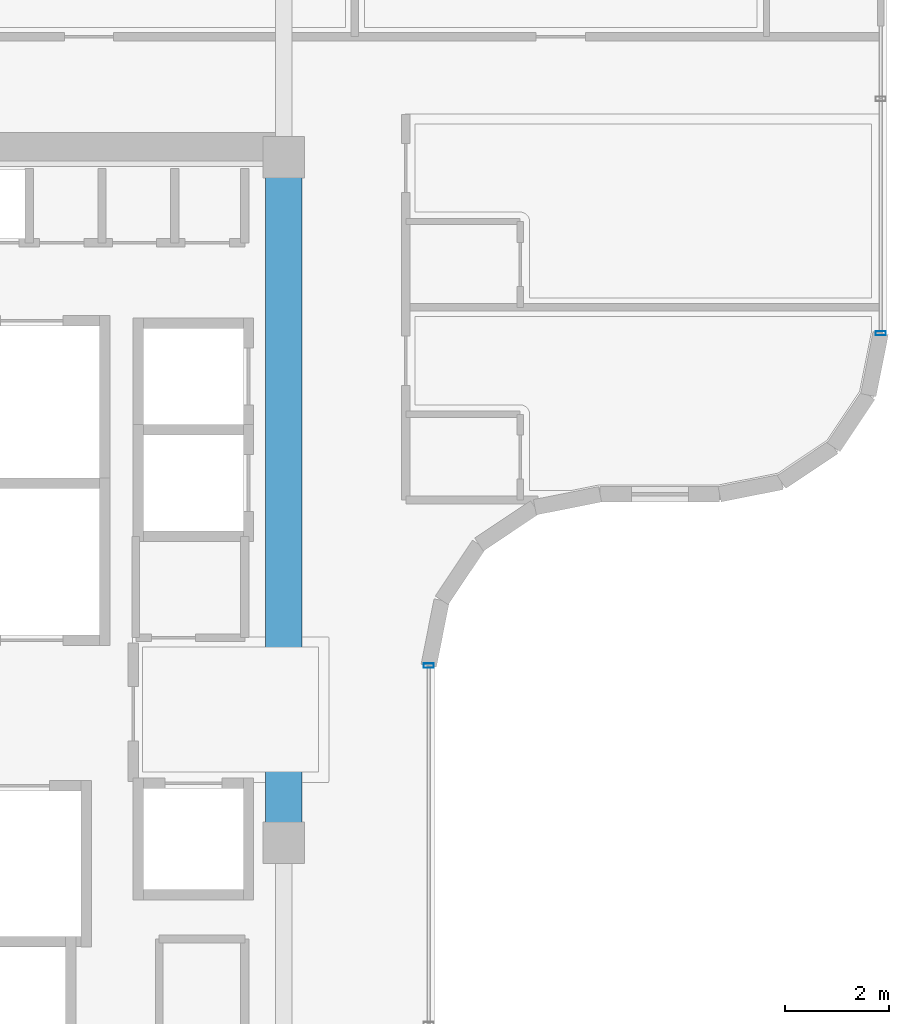
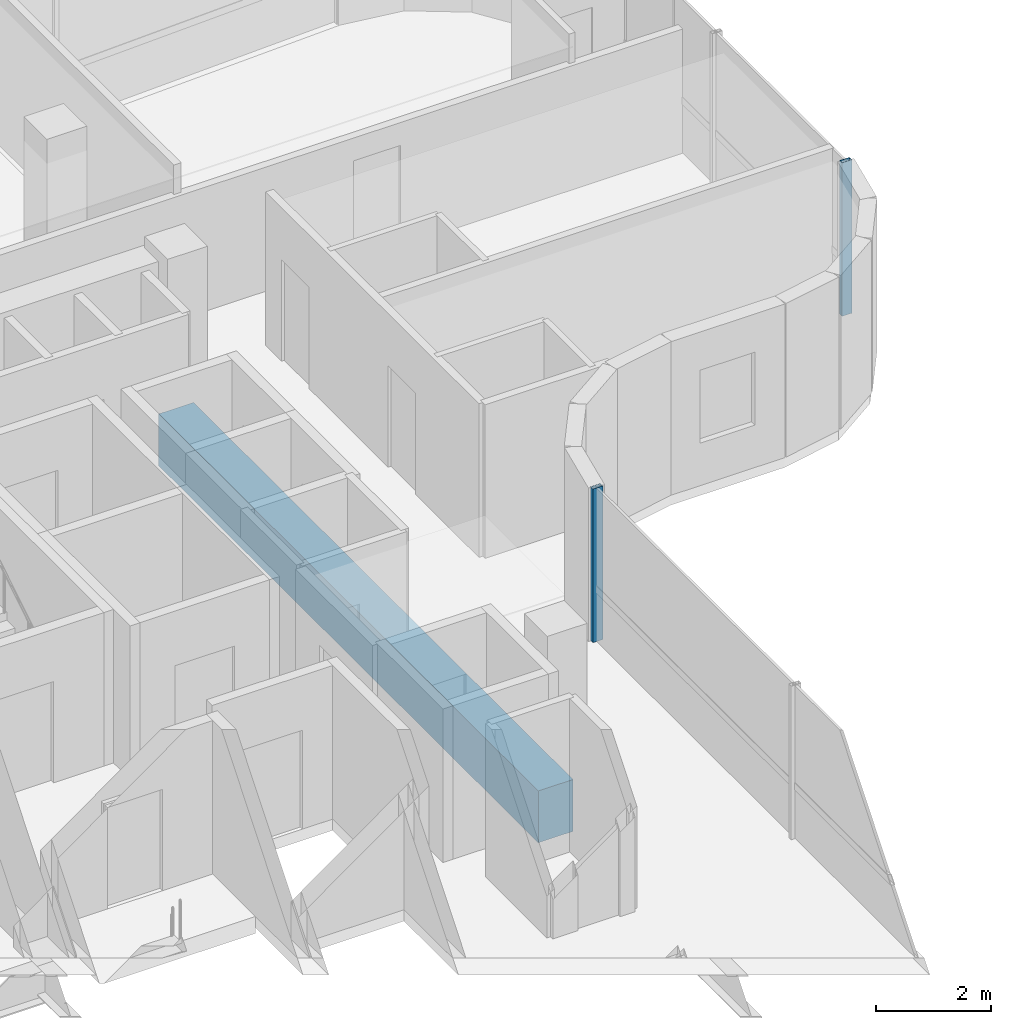
# One storey, part 8 of 20: 2 members, 1 beam, 2 elements without a shape of their own.
"""IFC4 building model written with IfcOpenShell, lengths in metres."""

from ifc_helpers import new_model, si_unit, direction, frame, origin, origin_2d, place, context, subcontext, project, spatial, rectangle, hollow_rectangle, extrude, source, transform, mapped, material, material_profile, profile_set, type_object, element, aggregate, save


model = new_model("IFC4")

# Units and contexts
model_context = context("Model", 3, precision=1e-05, world=origin(), true_north=direction((0.0, 1.0)))
body_context = subcontext(model_context, "Body", "Model", "MODEL_VIEW")
ifc_project = project(units=[si_unit("LENGTHUNIT", "METRE"), si_unit("AREAUNIT", "SQUARE_METRE"), si_unit("VOLUMEUNIT", "CUBIC_METRE"), si_unit("PLANEANGLEUNIT", "RADIAN"), si_unit("MASSUNIT", "GRAM", prefix="KILO")], contexts=[model_context])

# Site, building, storey
site_placement = place(None, origin())
site = spatial("IfcSite", under=ifc_project, at=site_placement, CompositionType="ELEMENT")
building_placement = place(site_placement, origin())
building = spatial("IfcBuilding", under=site, at=building_placement, Name="Valdorenza Pilgrim Sanctuary Tower", CompositionType="ELEMENT")
storey_placement = place(building_placement, frame((0.0, 0.0, 244.0)))
storey = spatial("IfcBuildingStorey", under=building, at=storey_placement, Name="L63", CompositionType="ELEMENT", Elevation=244.0)

# Beam
ifc_material_1 = material(Name="Concrete C50/60", Category="concrete")
ifc_material_profile_1 = material_profile(ifc_material_1, rectangle(XDim=0.699951171875, YDim=1.10009765625, at=origin_2d()), Name="RC 1100x700")
ifc_profile_set_1 = profile_set([ifc_material_profile_1], Name="Concrete C50/60")
beam_type = type_object("IfcBeamType", Name="STR-BM-LNT-1100", PredefinedType="LINTEL", material=ifc_profile_set_1)
shared_shape_1 = source(origin(), body_context, "Body", "SweptSolid", [
    extrude(rectangle(XDim=0.699951171875, YDim=1.10009765625, at=origin_2d()), origin(), (0.0, 0.0, 1.0), 13.2001953125),
])
beam_placement = place(storey_placement, frame((-12.39990234375, -2.60009765625, -0.590087890625), z_axis=(0.0, 1.0, 0.0), x_axis=(-1.0, 0.0, 0.0)))
element("IfcBeam", 1, at=beam_placement, inside=storey, type_object=beam_type, Name="L63 Core A Coupling Lintel Girder", PredefinedType="LINTEL", context=body_context, shape_type="MappedRepresentation", body=[
    mapped(shared_shape_1, transform((0.0, 0.0, 0.0), x_axis=(1.0, 0.0, 0.0), y_axis=(0.0, 1.0, 0.0), z_axis=(0.0, 0.0, 1.0), scale=1.0)),
])

# Curtain wall, member
ifc_material_2 = material(Name="Curtain-wall IGU glazing", Category="glass")
curtain_wall_type = type_object("IfcCurtainWallType", Name="CW-SYS-02", PredefinedType="NOTDEFINED", material=ifc_material_2)
curtain_wall_1_placement = place(storey_placement, origin())
curtain_wall_1 = element("IfcCurtainWall", 2, at=curtain_wall_1_placement, inside=storey, type_object=curtain_wall_type, Name="L63 Curtain Wall CW-L63-1-11", PredefinedType="NOTDEFINED")
ifc_material_3 = material(Name="Anodised aluminium AW-6060", Category="aluminium")
ifc_material_profile_2 = material_profile(ifc_material_3, hollow_rectangle(XDim=0.0849609375, YDim=0.199951171875, WallThickness=0.0048828125, at=origin_2d()), Name="ALU-M 200x85x5")
ifc_profile_set_2 = profile_set([ifc_material_profile_2], Name="Anodised aluminium AW-6060")
member_type = type_object("IfcMemberType", Name="CW-MUL-02", PredefinedType="MULLION", material=ifc_profile_set_2)
shared_shape_2 = source(origin(), body_context, "Body", "SweptSolid", [
    extrude(hollow_rectangle(XDim=0.0849609375, YDim=0.199951171875, WallThickness=0.0048828125, at=origin_2d()), origin(), (0.0, 0.0, 1.0), 3.260009765625),
])
member_1_placement = place(storey_placement, frame((-0.909912109375, 7.210693359375, 0.0), z_axis=(0.0, 0.0, 1.0), x_axis=(0.0, -1.0, 0.0)))
member_1 = element("IfcMember", 3, at=member_1_placement, type_object=member_type, Name="CW-L63-1-11 Mullion 3", PredefinedType="MULLION", context=body_context, shape_type="MappedRepresentation", body=[
    mapped(shared_shape_2, transform((0.0, 0.0, 0.0), x_axis=(1.0, 0.0, 0.0), y_axis=(0.0, 1.0, 0.0), z_axis=(0.0, 0.0, 1.0), scale=1.0)),
])
aggregate(curtain_wall_1, [member_1])

curtain_wall_2_placement = place(storey_placement, origin())
curtain_wall_2 = element("IfcCurtainWall", 4, at=curtain_wall_2_placement, inside=storey, type_object=curtain_wall_type, Name="L63 Curtain Wall CW-L63-1-21", PredefinedType="NOTDEFINED")
member_2_placement = place(storey_placement, frame((-9.610107421875, 0.810791015625, 0.0), z_axis=(0.0, 0.0, 1.0), x_axis=(0.0, -1.0, 0.0)))
member_2 = element("IfcMember", 5, at=member_2_placement, type_object=member_type, Name="CW-L63-1-21 Mullion 1", PredefinedType="MULLION", context=body_context, shape_type="MappedRepresentation", body=[
    mapped(shared_shape_2, transform((0.0, 0.0, 0.0), x_axis=(1.0, 0.0, 0.0), y_axis=(0.0, 1.0, 0.0), z_axis=(0.0, 0.0, 1.0), scale=1.0)),
])
aggregate(curtain_wall_2, [member_2])

save(model, "model.ifc")
